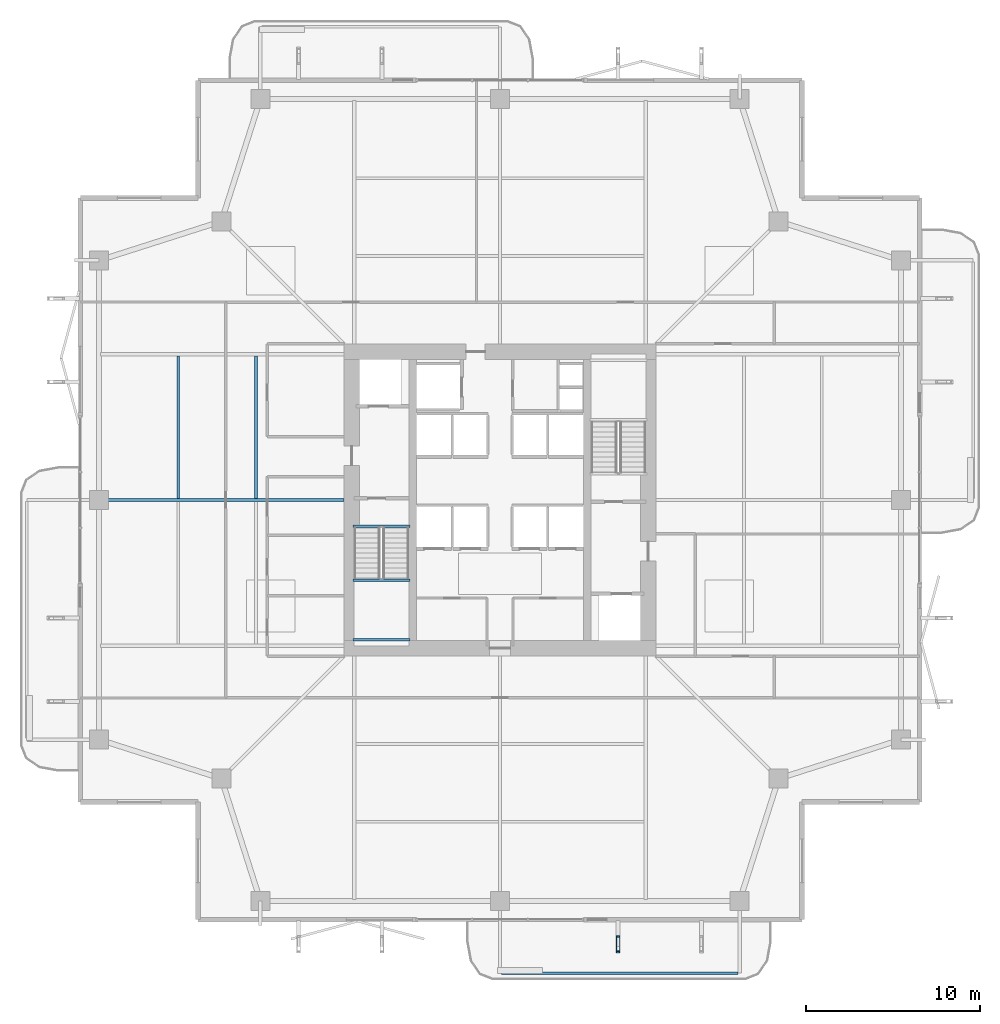
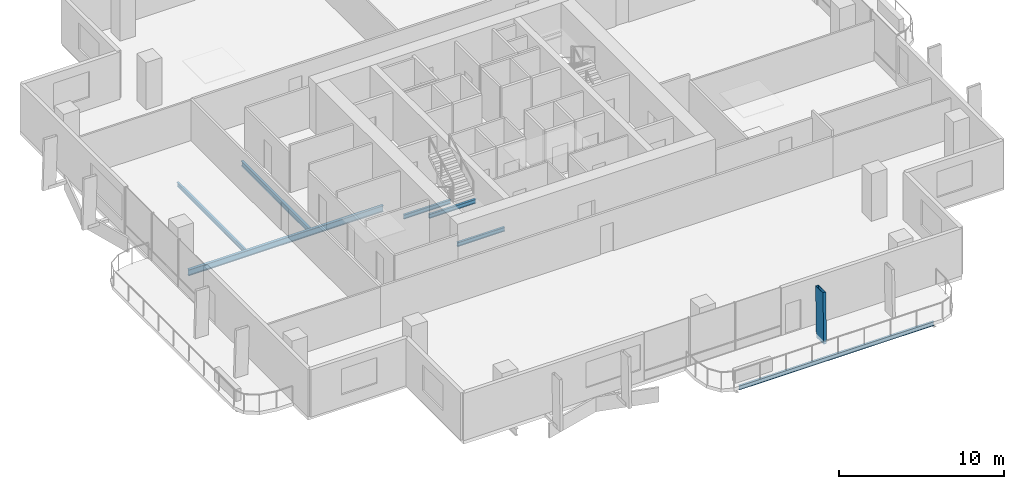
# One storey, part 7 of 23: 7 beams, 1 member.
"""IFC4 building model written with IfcOpenShell, lengths in metres."""

from ifc_helpers import new_model, si_unit, direction, frame, origin, origin_2d, place, context, subcontext, project, spatial, hollow_rectangle, i_section, extrude, material, material_profile, profile_set, type_object, element, save


model = new_model("IFC4")

# Units and contexts
model_context = context("Model", 3, precision=1e-05, world=origin(), true_north=direction((0.0, 1.0)))
body_context = subcontext(model_context, "Body", "Model", "MODEL_VIEW")
ifc_project = project(units=[si_unit("LENGTHUNIT", "METRE"), si_unit("AREAUNIT", "SQUARE_METRE"), si_unit("VOLUMEUNIT", "CUBIC_METRE"), si_unit("PLANEANGLEUNIT", "RADIAN"), si_unit("MASSUNIT", "GRAM", prefix="KILO")], contexts=[model_context])

# Site, building, storey
site_placement = place(None, origin())
site = spatial("IfcSite", under=ifc_project, at=site_placement, CompositionType="ELEMENT")
building_placement = place(site_placement, origin())
building = spatial("IfcBuilding", under=site, at=building_placement, Name="Belovzor Exchange Tower", CompositionType="ELEMENT")
storey_placement = place(building_placement, frame((0.0, 0.0, 157.050048828125)))
storey = spatial("IfcBuildingStorey", under=building, at=storey_placement, Name="L38", CompositionType="ELEMENT", Elevation=157.050048828125)

# Beams
ifc_material_1 = material(Name="Steel S355", Category="steel")
ifc_material_profile_1 = material_profile(ifc_material_1, i_section(OverallWidth=0.14990234375, OverallDepth=0.300048828125, WebThickness=0.007080078125, FlangeThickness=0.0107421875, at=origin_2d()))
ifc_profile_set_1 = profile_set([ifc_material_profile_1], Name="Steel S355")
beam_type_1 = type_object("IfcBeamType", Name="Planted Balcony Fascia Edge Beam IPE 300", PredefinedType="BEAM", material=ifc_profile_set_1)
beam_1_placement = place(storey_placement, frame((28.89990234375, 1.547119140625, -0.405029296875), z_axis=(1.0, 0.0, 0.0), x_axis=(0.0, 1.0, 0.0)))
element("IfcBeam", 1, at=beam_1_placement, inside=storey, type_object=beam_type_1, Name="BC-300 Planted Balcony Fascia Edge Beam IPE 300", PredefinedType="BEAM", context=body_context, shape_type="SweptSolid", body=[
    extrude(i_section(OverallWidth=0.14990234375, OverallDepth=0.300048828125, WebThickness=0.007080078125, FlangeThickness=0.0107421875, at=origin_2d()), origin(), (0.0, 0.0, 1.0), 13.60009765625),
])
ifc_material_2 = material(Name="Steel S355", Category="steel")
ifc_material_profile_2 = material_profile(ifc_material_2, i_section(OverallWidth=0.169921875, OverallDepth=0.360107421875, WebThickness=0.008056640625, FlangeThickness=0.0126953125, at=origin_2d()))
ifc_profile_set_2 = profile_set([ifc_material_profile_2], Name="Steel S355")
beam_type_2 = type_object("IfcBeamType", Name="Secondary Infill Floor Joist IPE 360", PredefinedType="BEAM", material=ifc_profile_set_2)
beam_2_placement = place(storey_placement, frame((14.7509765625, 28.89501953125, -0.43505859375), z_axis=(0.0, 1.0, 0.0), x_axis=(-1.0, 0.0, 0.0)))
element("IfcBeam", 2, at=beam_2_placement, inside=storey, type_object=beam_type_2, Name="FJ-360 Secondary Infill Floor Joist IPE 360", PredefinedType="BEAM", context=body_context, shape_type="SweptSolid", body=[
    extrude(i_section(OverallWidth=0.169921875, OverallDepth=0.360107421875, WebThickness=0.008056640625, FlangeThickness=0.0126953125, at=origin_2d()), origin(), (0.0, 0.0, 1.0), 8.2099609375),
])
ifc_material_3 = material(Name="Steel S355", Category="steel")
ifc_material_profile_3 = material_profile(ifc_material_3, i_section(OverallWidth=0.14990234375, OverallDepth=0.300048828125, WebThickness=0.007080078125, FlangeThickness=0.0107421875, at=origin_2d()))
ifc_profile_set_3 = profile_set([ifc_material_profile_3], Name="Steel S355")
beam_type_3 = type_object("IfcBeamType", Name="Secondary Trim Floor Joist IPE 300", PredefinedType="BEAM", material=ifc_profile_set_3)
for number, where, z_axis, x_axis, name in (
    (3, (20.320068359375, 24.179931640625, 1.52490234375), (1.0, 0.0, 0.0), (0.0, 1.0, 0.0), "FJ-300 Secondary Trim Floor Joist IPE 300"),
    (4, (20.320068359375, 20.75, 1.52490234375), (1.0, 0.0, 0.0), (0.0, 1.0, 0.0), "FJ-300 Secondary Trim Floor Joist IPE 300"),
):
    element("IfcBeam", number, at=place(storey_placement, frame(where, z_axis=z_axis, x_axis=x_axis)), inside=storey, type_object=beam_type_3, Name=name, PredefinedType="BEAM", context=body_context, shape_type="SweptSolid", body=[
        extrude(i_section(OverallWidth=0.14990234375, OverallDepth=0.300048828125, WebThickness=0.007080078125, FlangeThickness=0.0107421875, at=origin_2d()), origin(), (0.0, 0.0, 1.0), 3.309814453125),
    ])
beam_3_placement = place(storey_placement, frame((20.340087890625, 27.280029296875, -0.405029296875), z_axis=(1.0, 0.0, 0.0), x_axis=(0.0, 1.0, 0.0)))
element("IfcBeam", 5, at=beam_3_placement, inside=storey, type_object=beam_type_3, Name="FJ-300 Secondary Trim Floor Joist IPE 300", PredefinedType="BEAM", context=body_context, shape_type="SweptSolid", body=[
    extrude(i_section(OverallWidth=0.14990234375, OverallDepth=0.300048828125, WebThickness=0.007080078125, FlangeThickness=0.0107421875, at=origin_2d()), origin(), (0.0, 0.0, 1.0), 3.27001953125),
])
beam_4_placement = place(storey_placement, frame((10.262939453125, 28.89501953125, -0.405029296875), z_axis=(0.0, 1.0, 0.0), x_axis=(-1.0, 0.0, 0.0)))
element("IfcBeam", 6, at=beam_4_placement, inside=storey, type_object=beam_type_3, Name="FJ-300 Secondary Trim Floor Joist IPE 300", PredefinedType="BEAM", context=body_context, shape_type="SweptSolid", body=[
    extrude(i_section(OverallWidth=0.14990234375, OverallDepth=0.300048828125, WebThickness=0.007080078125, FlangeThickness=0.0107421875, at=origin_2d()), origin(), (0.0, 0.0, 1.0), 8.2099609375),
])

# Member
ifc_material_4 = material(Name="Extruded Architectural Terracotta on Steel S355 Carrier", Category="masonry")
ifc_material_profile_4 = material_profile(ifc_material_4, hollow_rectangle(XDim=0.199951171875, YDim=0.89990234375, WallThickness=0.011962890625, at=origin_2d()))
ifc_profile_set_4 = profile_set([ifc_material_profile_4], Name="Extruded Architectural Terracotta on Steel S355 Carrier")
member_type = type_object("IfcMemberType", Name="Sweeping Terracotta Baguette Fin Assembly 1250", PredefinedType="USERDEFINED", material=ifc_profile_set_4)
member_placement = place(storey_placement, frame((35.60009765625, 3.156982421875, -0.255126953125), z_axis=(0.0, 0.027203470401, 0.999629917118), x_axis=(-1.0, 0.0, 0.0)))
element("IfcMember", 7, at=member_placement, inside=storey, type_object=member_type, Name="FIN-TC125 Terracotta Facade Fin L38 S3", ObjectType="FIN", PredefinedType="USERDEFINED", context=body_context, shape_type="SweptSolid", body=[
    extrude(hollow_rectangle(XDim=0.199951171875, YDim=0.89990234375, WallThickness=0.011962890625, at=origin_2d()), origin(), (0.0, 0.0, 1.0), 3.75146484375),
])

# Beam
ifc_material_5 = material(Name="Steel S355", Category="steel")
ifc_material_profile_5 = material_profile(ifc_material_5, i_section(OverallWidth=0.18994140625, OverallDepth=0.449951171875, WebThickness=0.009521484375, FlangeThickness=0.0146484375, at=origin_2d()))
ifc_profile_set_5 = profile_set([ifc_material_profile_5], Name="Steel S355")
beam_type_4 = type_object("IfcBeamType", Name="Zone 2-4 Radial Composite Floor Beam IPE 450", PredefinedType="BEAM", material=ifc_profile_set_5)
beam_5_placement = place(storey_placement, frame((19.800048828125, 28.800048828125, -0.47998046875), z_axis=(-1.0, 0.0, 0.0), x_axis=(0.0, -1.0, 0.0)))
element("IfcBeam", 8, at=beam_5_placement, inside=storey, type_object=beam_type_4, Name="FB-450 Zone 2-4 Radial Composite Floor Beam IPE 450", PredefinedType="BEAM", context=body_context, shape_type="SweptSolid", body=[
    extrude(i_section(OverallWidth=0.18994140625, OverallDepth=0.449951171875, WebThickness=0.009521484375, FlangeThickness=0.0146484375, at=origin_2d()), origin(), (0.0, 0.0, 1.0), 13.615966796875),
])

save(model, "model.ifc")
